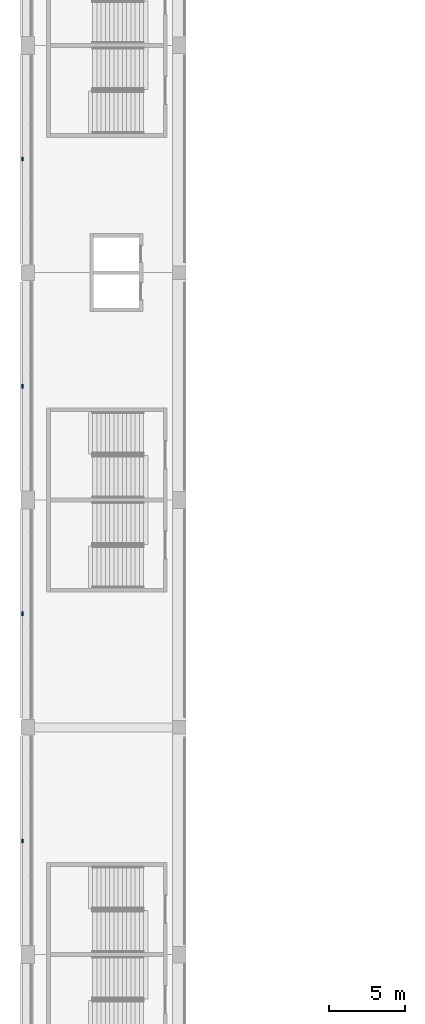
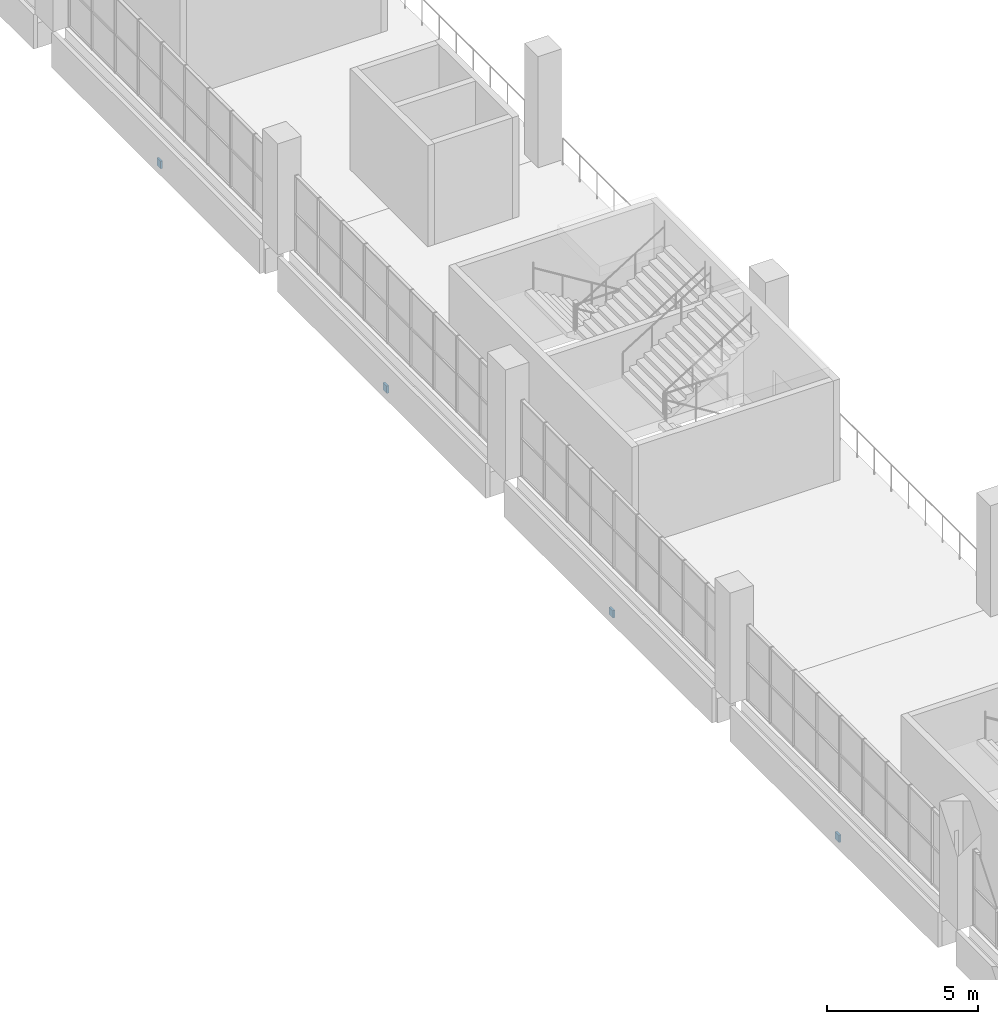
# One storey, part 73 of 177: 4 discrete accessories.
"""IFC4 building model written with IfcOpenShell, lengths in metres."""

from ifc_helpers import new_model, si_unit, direction, frame, origin, origin_2d, place, context, subcontext, project, spatial, rectangle, extrude, material, layer, layer_set, type_object, element, save


model = new_model("IFC4")

# Units and contexts
model_context = context("Model", 3, precision=1e-05, world=origin(), true_north=direction((0.0, 1.0)))
body_context = subcontext(model_context, "Body", "Model", "MODEL_VIEW")
ifc_project = project(units=[si_unit("LENGTHUNIT", "METRE"), si_unit("AREAUNIT", "SQUARE_METRE"), si_unit("VOLUMEUNIT", "CUBIC_METRE"), si_unit("PLANEANGLEUNIT", "RADIAN"), si_unit("MASSUNIT", "GRAM", prefix="KILO")], contexts=[model_context])

# Site, building, storey
site_placement = place(None, origin())
site = spatial("IfcSite", under=ifc_project, at=site_placement, CompositionType="ELEMENT")
building_placement = place(site_placement, origin())
building = spatial("IfcBuilding", under=site, at=building_placement, Name="Ogive Plaza Stadium", CompositionType="ELEMENT")
storey_placement = place(building_placement, frame((0.0, 0.0, 18.0)))
storey = spatial("IfcBuildingStorey", under=building, at=storey_placement, Name="L04", CompositionType="ELEMENT", Elevation=18.0)

# Discrete accessories
ifc_material = material(Name="Steel ASTM A572 Grade 50", Category="steel")
ifc_layer = layer(ifc_material, 0.080078125)
ifc_layer_set = layer_set([ifc_layer], Name="Steel ASTM A572 Grade 50")
discrete_accessory_type = type_object("IfcDiscreteAccessoryType", Name="Spandrel cladding bracket 250x300", PredefinedType="BRACKET", material=ifc_layer_set)
for number, where, z_axis, x_axis, name in (
    (1, (-84.35009765625, -30.0, -1.31005859375), (0.0, 0.0, 1.0), (0.0, 1.0, 0.0), "SPANDREL BRACKET B22 L04"),
    (2, (-84.35009765625, -15.0, -1.31005859375), (0.0, 0.0, 1.0), (0.0, 1.0, 0.0), "SPANDREL BRACKET B23 L04"),
    (3, (-84.35009765625, 0.0, -1.31005859375), (0.0, 0.0, 1.0), (0.0, 1.0, 0.0), "SPANDREL BRACKET B24 L04"),
    (4, (-84.35009765625, 15.0, -1.31005859375), (0.0, 0.0, 1.0), (0.0, 1.0, 0.0), "SPANDREL BRACKET B25 L04"),
):
    element("IfcDiscreteAccessory", number, at=place(storey_placement, frame(where, z_axis=z_axis, x_axis=x_axis)), inside=storey, type_object=discrete_accessory_type, Name=name, PredefinedType="BRACKET", context=body_context, shape_type="SweptSolid", body=[
        extrude(rectangle(XDim=0.25, YDim=0.080078125, at=origin_2d()), origin(), (0.0, 0.0, 1.0), 0.300048828125),
    ])

save(model, "model.ifc")
